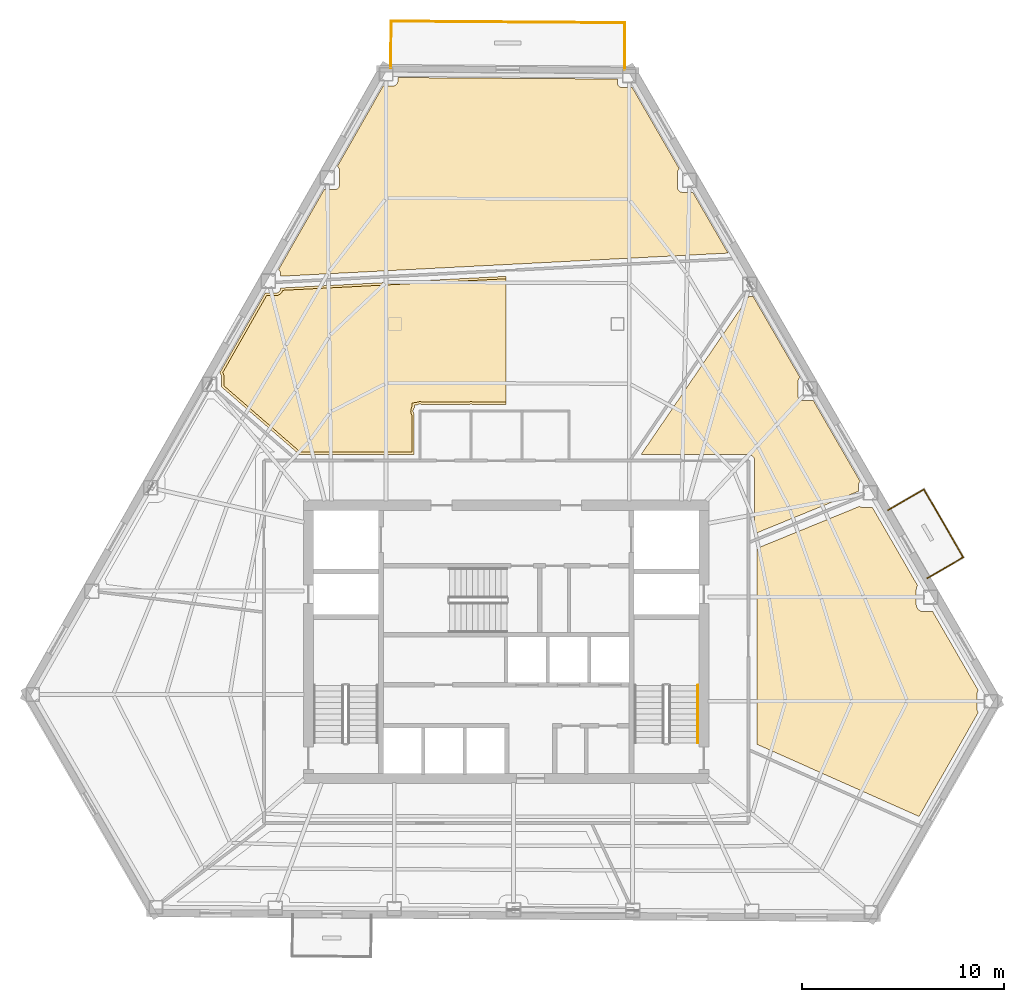
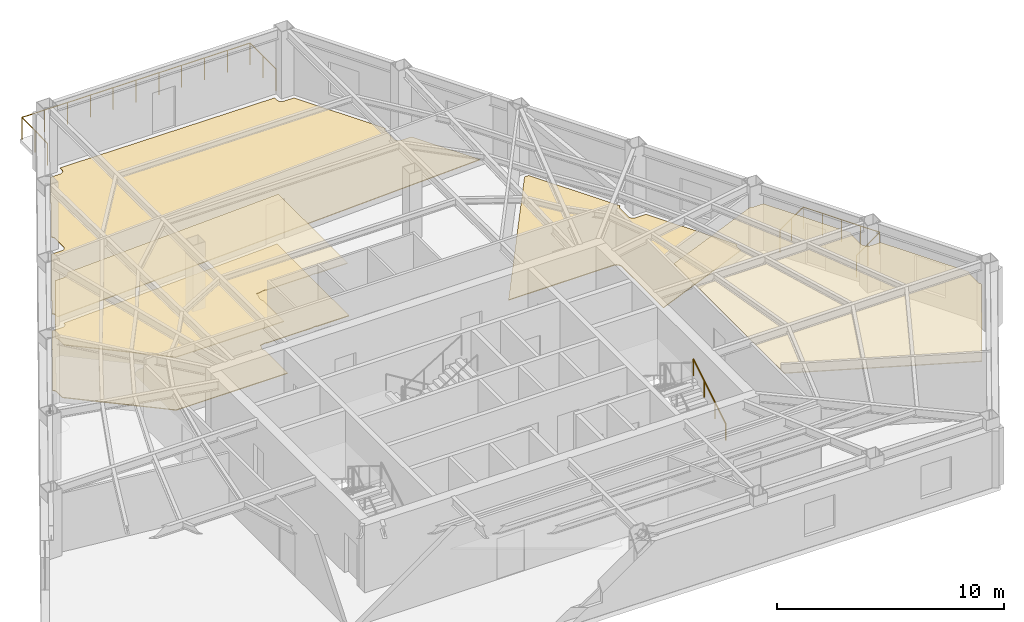
# One storey, part 9 of 9: 7 railings, 5 coverings.
"""IFC4 building model written with IfcOpenShell, lengths in metres."""

from ifc_helpers import new_model, si_unit, direction, frame, origin, origin_2d, place, context, subcontext, project, spatial, polyline, circle, outline, extrude, material, layer, layer_set, type_object, element, save


model = new_model("IFC4")

# Units and contexts
model_context = context("Model", 3, precision=1e-05, world=origin(), true_north=direction((0.0, 1.0)))
body_context = subcontext(model_context, "Body", "Model", "MODEL_VIEW")
ifc_project = project(units=[si_unit("LENGTHUNIT", "METRE"), si_unit("AREAUNIT", "SQUARE_METRE"), si_unit("VOLUMEUNIT", "CUBIC_METRE"), si_unit("PLANEANGLEUNIT", "RADIAN"), si_unit("MASSUNIT", "GRAM", prefix="KILO")], contexts=[model_context])

# Site, building, storey
site_placement = place(None, origin())
site = spatial("IfcSite", under=ifc_project, at=site_placement, CompositionType="ELEMENT")
building_placement = place(site_placement, origin())
building = spatial("IfcBuilding", under=site, at=building_placement, Name="Kavelnor Concourse Tower", CompositionType="ELEMENT")
storey_placement = place(building_placement, frame((0.0, 0.0, 112.449951171875)))
storey = spatial("IfcBuildingStorey", under=building, at=storey_placement, Name="L28", CompositionType="ELEMENT", Elevation=112.449951171875)

# Coverings
ifc_material_1 = material(Name="Mineral fibre acoustic ceiling tile")
ifc_layer_1 = layer(ifc_material_1, 0.0400390625, Name="Mineral fibre acoustic ceiling tile")
ifc_layer_set_1 = layer_set([ifc_layer_1], Name="Mineral fibre acoustic ceiling tile")
covering_type_1 = type_object("IfcCoveringType", Name="COV-CEILING-ACOUSTIC", PredefinedType="CEILING", material=ifc_layer_set_1)
covering_1_placement = place(storey_placement, frame((0.0, 0.0, 2.75)))
element("IfcCovering", 1, at=covering_1_placement, inside=storey, type_object=covering_type_1, Name="L28 Suspended Acoustic Ceiling", PredefinedType="CEILING", context=body_context, shape_type="SweptSolid", body=[
    extrude(outline(polyline([(26.64599609375, 33.21044921875), (26.680908203125, 33.2158203125), (26.715087890625, 33.224365234375), (26.74853515625, 33.236083984375), (26.780517578125, 33.251220703125), (26.810791015625, 33.26953125), (26.839111328125, 33.29052734375), (26.865478515625, 33.314453125), (26.88916015625, 33.340576171875), (26.910400390625, 33.368896484375), (26.928466796875, 33.3994140625), (26.943603515625, 33.431396484375), (26.95556640625, 33.464599609375), (26.956298828125, 33.4677734375), (37.9951171875, 34.0380859375), (37.9951171875, 27.94091796875), (36.39990234375, 27.93994140625), (36.377685546875, 27.947998046875), (36.339111328125, 27.95751953125), (36.2998046875, 27.96337890625), (36.260009765625, 27.96533203125), (36.22021484375, 27.96337890625), (36.180908203125, 27.95751953125), (36.142333984375, 27.947998046875), (36.123291015625, 27.941162109375), (33.8798828125, 27.93994140625), (33.857666015625, 27.947998046875), (33.819091796875, 27.95751953125), (33.77978515625, 27.96337890625), (33.739990234375, 27.96533203125), (33.7001953125, 27.96337890625), (33.660888671875, 27.95751953125), (33.622314453125, 27.947998046875), (33.5849609375, 27.9345703125), (33.573486328125, 27.92919921875), (33.340087890625, 27.899658203125), (33.340087890625, 27.70361328125), (33.33251953125, 27.691162109375), (33.3154296875, 27.655029296875), (33.302001953125, 27.61767578125), (33.29248046875, 27.5791015625), (33.28662109375, 27.539794921875), (33.28466796875, 27.5), (33.28662109375, 27.460205078125), (33.29248046875, 27.4208984375), (33.302001953125, 27.38232421875), (33.3154296875, 27.344970703125), (33.33251953125, 27.308837890625), (33.3349609375, 27.3046875), (33.3349609375, 25.472412109375), (27.83349609375, 25.472412109375), (24.0615234375, 28.74609375), (24.0615234375, 29.189697265625), (24.060302734375, 29.216796875), (24.054931640625, 29.251708984375), (24.04638671875, 29.285888671875), (24.034423828125, 29.3193359375), (24.019287109375, 29.351318359375), (24.001220703125, 29.381591796875), (23.99072265625, 29.3955078125), (26.16259765625, 33.209228515625), (26.618896484375, 33.209228515625), (26.64599609375, 33.21044921875)])), origin(), (0.0, 0.0, 1.0), 0.0400390625),
])
covering_2_placement = place(storey_placement, frame((0.0, 0.0, 2.75)))
element("IfcCovering", 2, at=covering_2_placement, inside=storey, type_object=covering_type_1, Name="L28 Suspended Acoustic Ceiling", PredefinedType="CEILING", context=body_context, shape_type="SweptSolid", body=[
    extrude(outline(polyline([(50.392578125, 20.720703125), (55.457275390625, 22.79248046875), (55.4697265625, 22.784912109375), (55.501708984375, 22.769775390625), (55.53515625, 22.7578125), (55.5693359375, 22.749267578125), (55.6044921875, 22.744140625), (55.63134765625, 22.742919921875), (56.093017578125, 22.742919921875), (58.32666015625, 18.882080078125), (58.31982421875, 18.873046875), (58.3017578125, 18.8427734375), (58.28662109375, 18.810791015625), (58.274658203125, 18.777587890625), (58.26611328125, 18.7431640625), (58.260986328125, 18.708251953125), (58.259521484375, 18.68115234375), (58.259521484375, 17.944580078125), (58.260986328125, 17.91748046875), (58.26611328125, 17.882568359375), (58.274658203125, 17.848388671875), (58.28662109375, 17.81494140625), (58.3017578125, 17.782958984375), (58.31982421875, 17.752685546875), (58.341064453125, 17.724365234375), (58.36474609375, 17.697998046875), (58.39111328125, 17.67431640625), (58.41943359375, 17.6533203125), (58.44970703125, 17.635009765625), (58.481689453125, 17.619873046875), (58.514892578125, 17.60791015625), (58.54931640625, 17.599365234375), (58.584228515625, 17.59423828125), (58.611328125, 17.593017578125), (59.07275390625, 17.593017578125), (61.322021484375, 13.705810546875), (61.31982421875, 13.703125), (61.301513671875, 13.6728515625), (61.28662109375, 13.640869140625), (61.274658203125, 13.607421875), (61.26611328125, 13.5732421875), (61.2607421875, 13.5380859375), (61.259521484375, 13.51123046875), (61.259521484375, 12.814697265625), (61.2607421875, 12.78759765625), (61.26611328125, 12.752685546875), (61.274658203125, 12.71826171875), (61.28662109375, 12.68505859375), (61.301513671875, 12.653076171875), (61.31982421875, 12.622802734375), (61.325439453125, 12.615234375), (58.396728515625, 7.47314453125), (50.392578125, 11.036865234375), (50.392578125, 20.720703125)])), origin(), (0.0, 0.0, 1.0), 0.0400390625),
])
ifc_material_2 = material(Name="Honed bluestone and raised access floor finish", Category="masonry")
ifc_layer_2 = layer(ifc_material_2, 0.0400390625, Name="Honed bluestone and raised access floor finish")
ifc_layer_set_2 = layer_set([ifc_layer_2], Name="Honed bluestone and raised access floor finish")
covering_type_2 = type_object("IfcCoveringType", Name="COV-FLOOR-STONE", PredefinedType="FLOORING", material=ifc_layer_set_2)
covering_3_placement = place(storey_placement, frame((0.0, 0.0, 0.001953125)))
element("IfcCovering", 3, at=covering_3_placement, inside=storey, type_object=covering_type_2, Name="L28 Honed Bluestone Floor Finish", PredefinedType="FLOORING", context=body_context, shape_type="SweptSolid", body=[
    extrude(outline(polyline([(50.271240234375, 25.07958984375), (50.266845703125, 25.109130859375), (50.259765625, 25.137939453125), (50.249755859375, 25.166015625), (50.237060546875, 25.192626953125), (50.2216796875, 25.21826171875), (50.2041015625, 25.2421875), (50.18408203125, 25.26416015625), (50.162109375, 25.283935546875), (50.13818359375, 25.3017578125), (50.11279296875, 25.31689453125), (50.0859375, 25.32958984375), (50.057861328125, 25.339599609375), (50.029052734375, 25.346923828125), (49.999755859375, 25.351318359375), (49.975341796875, 25.3525390625), (44.6640625, 25.3525390625), (49.988037109375, 33.16259765625), (50.202392578125, 33.16259765625), (52.515625, 29.164794921875), (52.50732421875, 29.158447265625), (52.489990234375, 29.142578125), (52.47412109375, 29.125244140625), (52.4599609375, 29.106201171875), (52.447998046875, 29.086181640625), (52.437744140625, 29.064697265625), (52.429931640625, 29.04248046875), (52.42431640625, 29.019775390625), (52.420654296875, 28.996337890625), (52.419921875, 28.978271484375), (52.419921875, 28.247314453125), (52.420654296875, 28.229248046875), (52.42431640625, 28.205810546875), (52.429931640625, 28.18310546875), (52.437744140625, 28.160888671875), (52.447998046875, 28.139404296875), (52.4599609375, 28.119384765625), (52.47412109375, 28.100341796875), (52.489990234375, 28.0830078125), (52.50732421875, 28.067138671875), (52.5263671875, 28.052978515625), (52.54638671875, 28.041015625), (52.56787109375, 28.03076171875), (52.590087890625, 28.02294921875), (52.61279296875, 28.01708984375), (52.63623046875, 28.013671875), (52.654296875, 28.0126953125), (53.18212890625, 28.0126953125), (55.49560546875, 24.0146484375), (55.4873046875, 24.008544921875), (55.4697265625, 23.99267578125), (55.4541015625, 23.97509765625), (55.43994140625, 23.956298828125), (55.427734375, 23.93603515625), (55.417724609375, 23.914794921875), (55.409912109375, 23.892578125), (55.404052734375, 23.86962890625), (55.400634765625, 23.846435546875), (55.399658203125, 23.828125), (55.399658203125, 23.5361328125), (50.2724609375, 21.438720703125), (50.2724609375, 25.055419921875), (50.271240234375, 25.07958984375)])), origin(), (0.0, 0.0, 1.0), 0.0400390625),
])
covering_4_placement = place(storey_placement, frame((0.0, 0.0, 0.001953125)))
element("IfcCovering", 4, at=covering_4_placement, inside=storey, type_object=covering_type_2, Name="L28 Honed Bluestone Floor Finish", PredefinedType="FLOORING", context=body_context, shape_type="SweptSolid", body=[
    extrude(outline(polyline([(26.63427734375, 33.330078125), (26.657470703125, 33.33349609375), (26.680419921875, 33.33935546875), (26.702392578125, 33.34716796875), (26.723876953125, 33.357421875), (26.744140625, 33.369384765625), (26.762939453125, 33.383544921875), (26.780517578125, 33.3994140625), (26.79638671875, 33.416748046875), (26.810302734375, 33.435791015625), (26.822509765625, 33.455810546875), (26.83251953125, 33.477294921875), (26.840576171875, 33.49951171875), (26.84619140625, 33.522216796875), (26.849609375, 33.545654296875), (26.8505859375, 33.563720703125), (26.8505859375, 33.58251953125), (37.9951171875, 34.158447265625), (37.9951171875, 27.82080078125), (36.376708984375, 27.820068359375), (36.369140625, 27.823486328125), (36.3427734375, 27.8330078125), (36.315673828125, 27.83984375), (36.2880859375, 27.843994140625), (36.260009765625, 27.84521484375), (36.23193359375, 27.843994140625), (36.204345703125, 27.83984375), (36.17724609375, 27.8330078125), (36.15087890625, 27.823486328125), (36.14599609375, 27.8212890625), (33.856689453125, 27.820068359375), (33.84912109375, 27.823486328125), (33.82275390625, 27.8330078125), (33.795654296875, 27.83984375), (33.76806640625, 27.843994140625), (33.739990234375, 27.84521484375), (33.7119140625, 27.843994140625), (33.684326171875, 27.83984375), (33.6572265625, 27.8330078125), (33.630859375, 27.823486328125), (33.607666015625, 27.8125), (33.4599609375, 27.7939453125), (33.4599609375, 27.668212890625), (33.452880859375, 27.658447265625), (33.4384765625, 27.634521484375), (33.426513671875, 27.609130859375), (33.4169921875, 27.582763671875), (33.41015625, 27.5556640625), (33.406005859375, 27.528076171875), (33.40478515625, 27.5), (33.406005859375, 27.471923828125), (33.41015625, 27.4443359375), (33.4169921875, 27.417236328125), (33.426513671875, 27.390869140625), (33.4384765625, 27.365478515625), (33.452880859375, 27.341552734375), (33.455078125, 27.338623046875), (33.455078125, 25.3525390625), (27.788818359375, 25.3525390625), (23.94140625, 28.69140625), (23.94140625, 29.186767578125), (23.940673828125, 29.205078125), (23.93701171875, 29.228271484375), (23.931396484375, 29.251220703125), (23.923583984375, 29.273193359375), (23.913330078125, 29.294677734375), (23.9013671875, 29.31494140625), (23.88720703125, 29.333740234375), (23.871337890625, 29.351318359375), (23.85400390625, 29.3671875), (23.841552734375, 29.376220703125), (26.093017578125, 33.3291015625), (26.615966796875, 33.3291015625), (26.63427734375, 33.330078125)])), origin(), (0.0, 0.0, 1.0), 0.0400390625),
])
covering_5_placement = place(storey_placement, frame((0.0, 0.0, 0.001953125)))
element("IfcCovering", 5, at=covering_5_placement, inside=storey, type_object=covering_type_2, Name="L28 Honed Bluestone Floor Finish", PredefinedType="FLOORING", context=body_context, shape_type="SweptSolid", body=[
    extrude(outline(polyline([(29.002197265625, 38.43701171875), (29.52490234375, 38.43701171875), (29.543212890625, 38.43798828125), (29.56640625, 38.44140625), (29.58935546875, 38.447021484375), (29.611572265625, 38.455078125), (29.6328125, 38.465087890625), (29.653076171875, 38.477294921875), (29.672119140625, 38.4912109375), (29.689453125, 38.507080078125), (29.705322265625, 38.524658203125), (29.719482421875, 38.54345703125), (29.7314453125, 38.563720703125), (29.74169921875, 38.585205078125), (29.74951171875, 38.607421875), (29.755126953125, 38.630126953125), (29.7587890625, 38.6533203125), (29.759521484375, 38.671630859375), (29.759521484375, 39.40234375), (29.7587890625, 39.420654296875), (29.755126953125, 39.44384765625), (29.74951171875, 39.466796875), (29.74169921875, 39.489013671875), (29.7314453125, 39.51025390625), (29.719482421875, 39.530517578125), (29.705322265625, 39.54931640625), (29.689453125, 39.56689453125), (29.672119140625, 39.582763671875), (29.659912109375, 39.591796875), (31.922607421875, 43.564697265625), (32.4140625, 43.564697265625), (32.432373046875, 43.565673828125), (32.45556640625, 43.569091796875), (32.478515625, 43.574951171875), (32.50048828125, 43.582763671875), (32.52197265625, 43.593017578125), (32.542236328125, 43.60498046875), (32.56103515625, 43.619140625), (32.57861328125, 43.635009765625), (32.594482421875, 43.65234375), (32.6083984375, 43.67138671875), (32.62060546875, 43.69140625), (32.630615234375, 43.712890625), (32.638671875, 43.735107421875), (32.644287109375, 43.7578125), (32.647705078125, 43.78125), (32.648681640625, 43.79931640625), (32.648681640625, 43.980712890625), (43.500244140625, 43.906494140625), (43.500244140625, 43.71728515625), (43.501220703125, 43.698974609375), (43.504638671875, 43.67578125), (43.51025390625, 43.65283203125), (43.518310546875, 43.630615234375), (43.5283203125, 43.609375), (43.540283203125, 43.589111328125), (43.554443359375, 43.5703125), (43.5703125, 43.552734375), (43.587890625, 43.536865234375), (43.606689453125, 43.522705078125), (43.626953125, 43.5107421875), (43.648193359375, 43.50048828125), (43.67041015625, 43.49267578125), (43.693359375, 43.487060546875), (43.716552734375, 43.4833984375), (43.73486328125, 43.482666015625), (44.23095703125, 43.482666015625), (46.555908203125, 39.46435546875), (46.547607421875, 39.458251953125), (46.5302734375, 39.4423828125), (46.514404296875, 39.425048828125), (46.500244140625, 39.406005859375), (46.48828125, 39.385986328125), (46.47802734375, 39.364501953125), (46.47021484375, 39.34228515625), (46.464599609375, 39.319580078125), (46.4609375, 39.296142578125), (46.460205078125, 39.278076171875), (46.460205078125, 38.547119140625), (46.4609375, 38.529052734375), (46.464599609375, 38.505615234375), (46.47021484375, 38.48291015625), (46.47802734375, 38.460693359375), (46.48828125, 38.439208984375), (46.500244140625, 38.419189453125), (46.514404296875, 38.400146484375), (46.5302734375, 38.3828125), (46.547607421875, 38.366943359375), (46.566650390625, 38.352783203125), (46.5869140625, 38.3408203125), (46.608154296875, 38.33056640625), (46.63037109375, 38.32275390625), (46.6533203125, 38.31689453125), (46.676513671875, 38.3134765625), (46.694580078125, 38.3125), (47.222412109375, 38.3125), (48.962158203125, 35.305908203125), (26.8505859375, 34.1630859375), (26.8505859375, 34.294677734375), (26.849609375, 34.312744140625), (26.84619140625, 34.336181640625), (26.840576171875, 34.35888671875), (26.83251953125, 34.381103515625), (26.822509765625, 34.402587890625), (26.810302734375, 34.422607421875), (26.79638671875, 34.441650390625), (26.780517578125, 34.458984375), (26.762939453125, 34.474853515625), (26.750732421875, 34.484130859375), (29.002197265625, 38.43701171875)])), origin(), (0.0, 0.0, 1.0), 0.0400390625),
])

# Railings
ifc_material_3 = material(Name="Steel Grade 350", Category="steel")
railing_type_1 = type_object("IfcRailingType", Name="RLG-HANDRAIL-900", PredefinedType="HANDRAIL", material=ifc_material_3)
railing_1_placement = place(storey_placement, frame((47.469970703125, 11.10009765625, 0.175048828125)))
element("IfcRailing", 6, at=railing_1_placement, inside=storey, type_object=railing_type_1, Name="L28 ST2 stair handrail 1", PredefinedType="HANDRAIL", context=body_context, shape_type="SweptSolid", body=[
    extrude(circle(Radius=0.02392578125, at=origin_2d()), frame((0.0, 0.0, 0.8759765625), z_axis=(0.0, 0.852159232446, 0.523282564737), x_axis=(-1.0, 0.0, 0.0)), (0.0, 0.0, 1.0), 3.34423828125),
    extrude(circle(Radius=0.02099609375, at=origin_2d()), origin(), (0.0, 0.0, 1.0), 0.851806640625),
    extrude(circle(Radius=0.02099609375, at=origin_2d()), frame((0.0, 0.949951171875, 0.583251953125)), (0.0, 0.0, 1.0), 0.851806640625),
    extrude(circle(Radius=0.02099609375, at=origin_2d()), frame((0.0, 1.89990234375, 1.166748046875)), (0.0, 0.0, 1.0), 0.851806640625),
    extrude(circle(Radius=0.02099609375, at=origin_2d()), frame((0.0, 2.849853515625, 1.75)), (0.0, 0.0, 1.0), 0.851806640625),
])
ifc_material_4 = material(Name="Architectural bronze-anodised aluminium", Category="aluminium")
railing_type_2 = type_object("IfcRailingType", Name="RLG-TERRACE-1200", PredefinedType="BALUSTRADE", material=ifc_material_4)
railing_2_placement = place(storey_placement, frame((43.846923828125, 44.38427734375, 0.0)))
element("IfcRailing", 7, at=railing_2_placement, inside=storey, type_object=railing_type_2, Name="L28 Spiral Terrace Guardrail L", PredefinedType="BALUSTRADE", context=body_context, shape_type="SweptSolid", body=[
    extrude(circle(Radius=0.02392578125, at=origin_2d()), frame((0.0, 0.0, 1.17578125), z_axis=(0.00690004805, 0.999976194385, 0.0), x_axis=(-0.999976194385, 0.00690004805, 0.0)), (0.0, 0.0, 1.0), 2.2998046875),
    extrude(circle(Radius=0.02099609375, at=origin_2d()), origin(), (0.0, 0.0, 1.0), 1.15185546875),
    extrude(circle(Radius=0.02099609375, at=origin_2d()), frame((0.0078125, 1.14990234375, 0.0)), (0.0, 0.0, 1.0), 1.15185546875),
    extrude(circle(Radius=0.02099609375, at=origin_2d()), frame((0.015869140625, 2.2998046875, 0.0)), (0.0, 0.0, 1.0), 1.15185546875),
])
railing_3_placement = place(storey_placement, frame((43.86279296875, 46.68408203125, 0.0)))
element("IfcRailing", 8, at=railing_3_placement, inside=storey, type_object=railing_type_2, Name="L28 Spiral Terrace Guardrail F", PredefinedType="BALUSTRADE", context=body_context, shape_type="SweptSolid", body=[
    extrude(circle(Radius=0.02392578125, at=origin_2d()), frame((0.0, 0.0, 1.17578125), z_axis=(-0.999976538316, 0.006850023223, 0.0), x_axis=(-0.006850023223, -0.999976538316, 0.0)), (0.0, 0.0, 1.0), 11.547607421875),
    extrude(circle(Radius=0.02099609375, at=origin_2d()), origin(), (0.0, 0.0, 1.0), 1.15185546875),
    extrude(circle(Radius=0.02099609375, at=origin_2d()), frame((-1.15478515625, 0.0078125, 0.0)), (0.0, 0.0, 1.0), 1.15185546875),
    extrude(circle(Radius=0.02099609375, at=origin_2d()), frame((-2.3095703125, 0.015869140625, 0.0)), (0.0, 0.0, 1.0), 1.15185546875),
    extrude(circle(Radius=0.02099609375, at=origin_2d()), frame((-3.464111328125, 0.023681640625, 0.0)), (0.0, 0.0, 1.0), 1.15185546875),
    extrude(circle(Radius=0.02099609375, at=origin_2d()), frame((-4.618896484375, 0.03173828125, 0.0)), (0.0, 0.0, 1.0), 1.15185546875),
    extrude(circle(Radius=0.02099609375, at=origin_2d()), frame((-5.773681640625, 0.03955078125, 0.0)), (0.0, 0.0, 1.0), 1.15185546875),
    extrude(circle(Radius=0.02099609375, at=origin_2d()), frame((-6.928466796875, 0.04736328125, 0.0)), (0.0, 0.0, 1.0), 1.15185546875),
    extrude(circle(Radius=0.02099609375, at=origin_2d()), frame((-8.083251953125, 0.055419921875, 0.0)), (0.0, 0.0, 1.0), 1.15185546875),
    extrude(circle(Radius=0.02099609375, at=origin_2d()), frame((-9.23779296875, 0.063232421875, 0.0)), (0.0, 0.0, 1.0), 1.15185546875),
    extrude(circle(Radius=0.02099609375, at=origin_2d()), frame((-10.392578125, 0.0712890625, 0.0)), (0.0, 0.0, 1.0), 1.15185546875),
    extrude(circle(Radius=0.02099609375, at=origin_2d()), frame((-11.54736328125, 0.0791015625, 0.0)), (0.0, 0.0, 1.0), 1.15185546875),
])
railing_4_placement = place(storey_placement, frame((32.3154296875, 46.76318359375, 0.0)))
element("IfcRailing", 9, at=railing_4_placement, inside=storey, type_object=railing_type_2, Name="L28 Spiral Terrace Guardrail R", PredefinedType="BALUSTRADE", context=body_context, shape_type="SweptSolid", body=[
    extrude(circle(Radius=0.02392578125, at=origin_2d()), frame((0.0, 0.0, 1.17578125), z_axis=(-0.006793177292, -0.999976926105, 0.0), x_axis=(0.999976926105, -0.006793177292, 0.0)), (0.0, 0.0, 1.0), 2.300048828125),
    extrude(circle(Radius=0.02099609375, at=origin_2d()), origin(), (0.0, 0.0, 1.0), 1.15185546875),
    extrude(circle(Radius=0.02099609375, at=origin_2d()), frame((-0.0078125, -1.14990234375, 0.0)), (0.0, 0.0, 1.0), 1.15185546875),
    extrude(circle(Radius=0.02099609375, at=origin_2d()), frame((-0.015625, -2.300048828125, 0.0)), (0.0, 0.0, 1.0), 1.15185546875),
])
railing_5_placement = place(storey_placement, frame((58.807373046875, 19.24951171875, 0.0)))
element("IfcRailing", 10, at=railing_5_placement, inside=storey, type_object=railing_type_2, Name="L28 Tree Balcony 2 Guardrail L", PredefinedType="BALUSTRADE", context=body_context, shape_type="SweptSolid", body=[
    extrude(circle(Radius=0.02392578125, at=origin_2d()), frame((0.0, 0.0, 1.17578125), z_axis=(0.865570298282, 0.500787438673, 0.0), x_axis=(-0.500787438673, 0.865570298282, 0.0)), (0.0, 0.0, 1.0), 2.050048828125),
    extrude(circle(Radius=0.02099609375, at=origin_2d()), origin(), (0.0, 0.0, 1.0), 1.15185546875),
    extrude(circle(Radius=0.02099609375, at=origin_2d()), frame((0.88720703125, 0.51318359375, 0.0)), (0.0, 0.0, 1.0), 1.15185546875),
    extrude(circle(Radius=0.02099609375, at=origin_2d()), frame((1.7744140625, 1.026611328125, 0.0)), (0.0, 0.0, 1.0), 1.15185546875),
])
railing_6_placement = place(storey_placement, frame((60.581787109375, 20.276123046875, 0.0)))
element("IfcRailing", 11, at=railing_6_placement, inside=storey, type_object=railing_type_2, Name="L28 Tree Balcony 2 Guardrail F", PredefinedType="BALUSTRADE", context=body_context, shape_type="SweptSolid", body=[
    extrude(circle(Radius=0.02392578125, at=origin_2d()), frame((0.0, 0.0, 1.17578125), z_axis=(-0.50084775802, 0.8655353969, 0.0), x_axis=(-0.8655353969, -0.50084775802, 0.0)), (0.0, 0.0, 1.0), 3.880126953125),
    extrude(circle(Radius=0.02099609375, at=origin_2d()), origin(), (0.0, 0.0, 1.0), 1.15185546875),
    extrude(circle(Radius=0.02099609375, at=origin_2d()), frame((-0.48583984375, 0.839599609375, 0.0)), (0.0, 0.0, 1.0), 1.15185546875),
    extrude(circle(Radius=0.02099609375, at=origin_2d()), frame((-0.9716796875, 1.67919921875, 0.0)), (0.0, 0.0, 1.0), 1.15185546875),
    extrude(circle(Radius=0.02099609375, at=origin_2d()), frame((-1.45751953125, 2.518798828125, 0.0)), (0.0, 0.0, 1.0), 1.15185546875),
    extrude(circle(Radius=0.02099609375, at=origin_2d()), frame((-1.943359375, 3.3583984375, 0.0)), (0.0, 0.0, 1.0), 1.15185546875),
])
railing_7_placement = place(storey_placement, frame((58.638427734375, 23.634521484375, 0.0)))
element("IfcRailing", 12, at=railing_7_placement, inside=storey, type_object=railing_type_2, Name="L28 Tree Balcony 2 Guardrail R", PredefinedType="BALUSTRADE", context=body_context, shape_type="SweptSolid", body=[
    extrude(circle(Radius=0.02392578125, at=origin_2d()), frame((0.0, 0.0, 1.17578125), z_axis=(-0.865540426479, -0.500839066099, 0.0), x_axis=(0.500839066099, -0.865540426479, 0.0)), (0.0, 0.0, 1.0), 2.0498046875),
    extrude(circle(Radius=0.02099609375, at=origin_2d()), origin(), (0.0, 0.0, 1.0), 1.15185546875),
    extrude(circle(Radius=0.02099609375, at=origin_2d()), frame((-0.88720703125, -0.51318359375, 0.0)), (0.0, 0.0, 1.0), 1.15185546875),
    extrude(circle(Radius=0.02099609375, at=origin_2d()), frame((-1.774169921875, -1.026611328125, 0.0)), (0.0, 0.0, 1.0), 1.15185546875),
])

save(model, "model.ifc")
